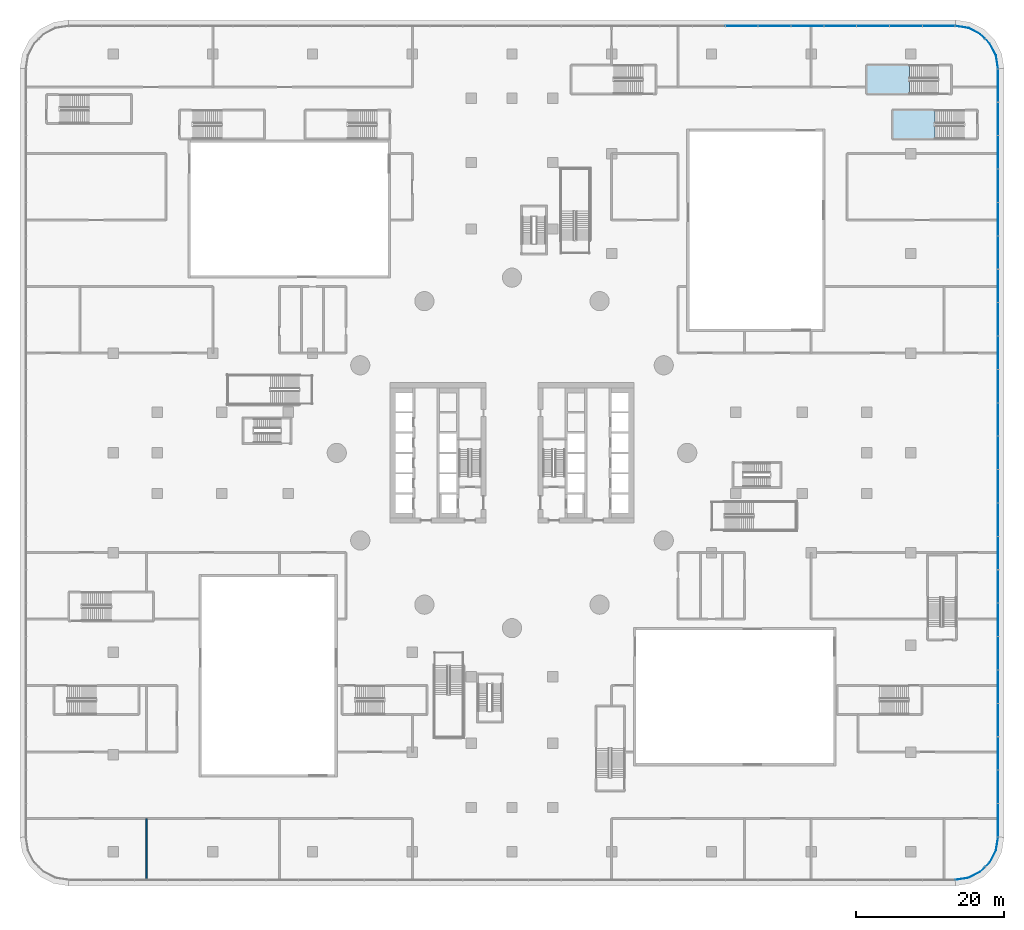
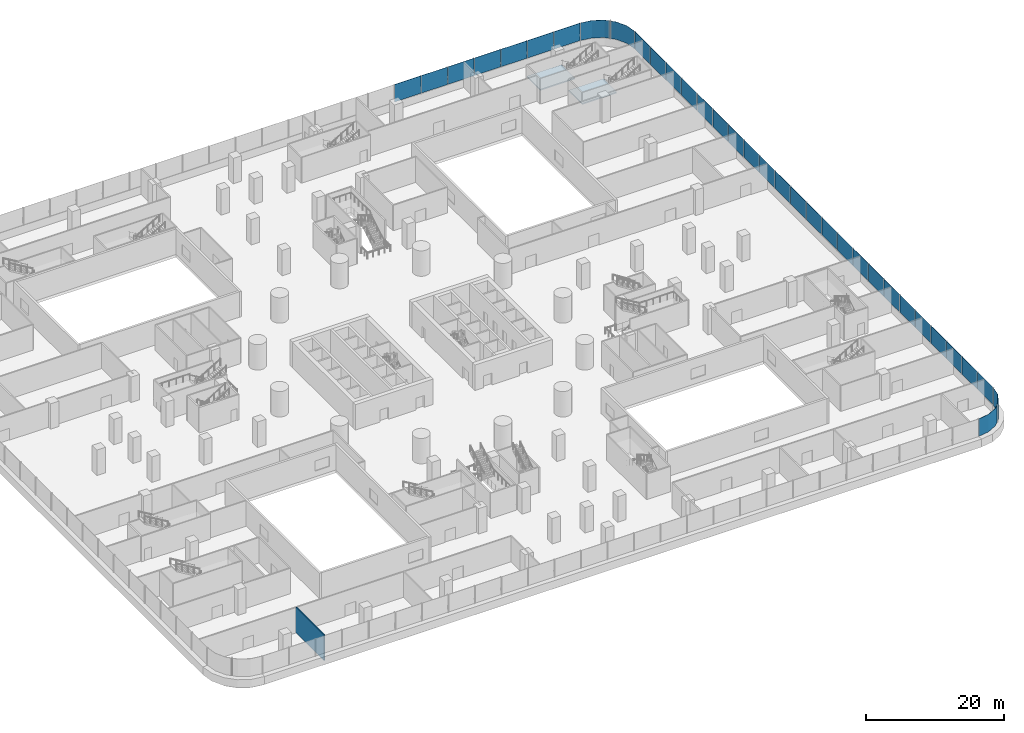
# One storey, part 23 of 44: 34 plates, 2 slabs, 1 wall, 6 elements without a shape of their own.
"""IFC4 building model written with IfcOpenShell, lengths in metres."""

from ifc_helpers import new_model, si_unit, direction, frame, frame_2d, origin, place, context, subcontext, project, spatial, polyline, rectangle, outline, extrude, material, layer, layer_set, type_object, element, aggregate, save


model = new_model("IFC4")

# Units and contexts
model_context = context("Model", 3, precision=1e-05, world=origin(), true_north=direction((0.0, 1.0)))
body_context = subcontext(model_context, "Body", "Model", "MODEL_VIEW")
ifc_project = project(units=[si_unit("LENGTHUNIT", "METRE"), si_unit("AREAUNIT", "SQUARE_METRE"), si_unit("VOLUMEUNIT", "CUBIC_METRE"), si_unit("PLANEANGLEUNIT", "RADIAN"), si_unit("MASSUNIT", "GRAM", prefix="KILO")], contexts=[model_context])

# Site, building, storey
site_placement = place(None, origin())
site = spatial("IfcSite", under=ifc_project, at=site_placement, CompositionType="ELEMENT")
building_placement = place(site_placement, origin())
building = spatial("IfcBuilding", under=site, at=building_placement, Name="Tamarind Cross Interchange Tower", CompositionType="ELEMENT")
storey_placement = place(building_placement, frame((0.0, 0.0, 15.0)))
storey = spatial("IfcBuildingStorey", under=building, at=storey_placement, Name="L02", CompositionType="ELEMENT", Elevation=15.0)

# Stair, slab
ifc_material_1 = material(Name="Public stair")
stair_type = type_object("IfcStairType", Name="Public stair", PredefinedType="HALF_TURN_STAIR", material=ifc_material_1)
stair_1_placement = place(storey_placement, origin())
stair_1 = element("IfcStair", 1, at=stair_1_placement, inside=storey, type_object=stair_type, Name="L02 exit stair XS-P01", PredefinedType="HALF_TURN_STAIR")
ifc_material_2 = material(Name="Concrete C40", Category="concrete")
ifc_layer_1 = layer(ifc_material_2, 0.199951171875)
ifc_layer_set_1 = layer_set([ifc_layer_1], Name="Concrete C40")
slab_type = type_object("IfcSlabType", Name="Public stair landing", PredefinedType="LANDING", material=ifc_layer_set_1)
slab_1_placement = place(storey_placement, frame((0.0, 0.0, 2.300048828125)))
slab_1 = element("IfcSlab", 2, at=slab_1_placement, type_object=slab_type, Name="XS-P01 landing 1", PredefinedType="LANDING", context=body_context, shape_type="SweptSolid", body=[
    extrude(outline(polyline([(53.780029296875, 52.5), (48.0, 52.5), (48.0, 48.60009765625), (53.780029296875, 48.60009765625), (53.780029296875, 52.5)])), origin(), (0.0, 0.0, 1.0), 0.199951171875),
])
aggregate(stair_1, [slab_1])

stair_2_placement = place(storey_placement, origin())
stair_2 = element("IfcStair", 3, at=stair_2_placement, inside=storey, type_object=stair_type, Name="L02 exit stair XS-P02", PredefinedType="HALF_TURN_STAIR")
slab_2_placement = place(storey_placement, frame((0.0, 0.0, 2.300048828125)))
slab_2 = element("IfcSlab", 4, at=slab_2_placement, type_object=slab_type, Name="XS-P02 landing 1", PredefinedType="LANDING", context=body_context, shape_type="SweptSolid", body=[
    extrude(outline(polyline([(57.280029296875, 46.39990234375), (51.5, 46.39990234375), (51.5, 42.5), (57.280029296875, 42.5), (57.280029296875, 46.39990234375)])), origin(), (0.0, 0.0, 1.0), 0.199951171875),
])
aggregate(stair_2, [slab_2])

# Curtain wall, plates
ifc_material_3 = material(Name="Aluminium 6063-T6", Category="aluminium")
ifc_layer_2 = layer(ifc_material_3, 0.199951171875)
ifc_layer_set_2 = layer_set([ifc_layer_2], Name="Aluminium 6063-T6")
curtain_wall_type = type_object("IfcCurtainWallType", Name="Podium shopfront and station curtain wall", PredefinedType="NOTDEFINED", material=ifc_layer_set_2)
curtain_wall_1_placement = place(storey_placement, origin())
curtain_wall_1 = element("IfcCurtainWall", 5, at=curtain_wall_1_placement, inside=storey, type_object=curtain_wall_type, Name="CWS-L02-00", PredefinedType="NOTDEFINED")
ifc_material_4 = material(Name="Toughened low-e glass 10+12+10", Category="glass")
ifc_layer_3 = layer(ifc_material_4, 0.031982421875)
ifc_layer_set_3 = layer_set([ifc_layer_3], Name="Toughened low-e glass 10+12+10")
plate_type = type_object("IfcPlateType", Name="Vision panel CW3", PredefinedType="CURTAIN_PANEL", material=ifc_layer_set_3)
plate_1_placement = place(storey_placement, frame((0.0, 0.0, 1.39990234375)))
plate_1 = element("IfcPlate", 6, at=plate_1_placement, type_object=plate_type, Name="CWP-L02-00-00", PredefinedType="CURTAIN_PANEL", context=body_context, shape_type="SweptSolid", body=[
    extrude(outline(polyline([(65.783935546875, -51.9443359375), (65.783935546875, -47.50390625), (65.81591796875, -47.50390625), (65.81591796875, -51.9443359375), (65.783935546875, -51.9443359375)])), origin(), (0.0, 0.0, 1.0), 3.10009765625),
])
plate_2_placement = place(storey_placement, frame((0.0, 0.0, 1.39990234375)))
plate_2 = element("IfcPlate", 7, at=plate_2_placement, type_object=plate_type, Name="CWP-L02-00-01", PredefinedType="CURTAIN_PANEL", context=body_context, shape_type="SweptSolid", body=[
    extrude(outline(polyline([(65.783935546875, -47.423828125), (65.783935546875, -42.9833984375), (65.81591796875, -42.9833984375), (65.81591796875, -47.423828125), (65.783935546875, -47.423828125)])), origin(), (0.0, 0.0, 1.0), 3.10009765625),
])
plate_3_placement = place(storey_placement, frame((0.0, 0.0, 1.39990234375)))
plate_3 = element("IfcPlate", 8, at=plate_3_placement, type_object=plate_type, Name="CWP-L02-00-02", PredefinedType="CURTAIN_PANEL", context=body_context, shape_type="SweptSolid", body=[
    extrude(outline(polyline([(65.783935546875, -42.903564453125), (65.783935546875, -38.463134765625), (65.81591796875, -38.463134765625), (65.81591796875, -42.903564453125), (65.783935546875, -42.903564453125)])), origin(), (0.0, 0.0, 1.0), 3.10009765625),
])
plate_4_placement = place(storey_placement, frame((0.0, 0.0, 1.39990234375)))
plate_4 = element("IfcPlate", 9, at=plate_4_placement, type_object=plate_type, Name="CWP-L02-00-03", PredefinedType="CURTAIN_PANEL", context=body_context, shape_type="SweptSolid", body=[
    extrude(outline(polyline([(65.783935546875, -38.383056640625), (65.783935546875, -33.94287109375), (65.81591796875, -33.94287109375), (65.81591796875, -38.383056640625), (65.783935546875, -38.383056640625)])), origin(), (0.0, 0.0, 1.0), 3.10009765625),
])
plate_5_placement = place(storey_placement, frame((0.0, 0.0, 1.39990234375)))
plate_5 = element("IfcPlate", 10, at=plate_5_placement, type_object=plate_type, Name="CWP-L02-00-04", PredefinedType="CURTAIN_PANEL", context=body_context, shape_type="SweptSolid", body=[
    extrude(outline(polyline([(65.783935546875, -33.86279296875), (65.783935546875, -29.42236328125), (65.81591796875, -29.42236328125), (65.81591796875, -33.86279296875), (65.783935546875, -33.86279296875)])), origin(), (0.0, 0.0, 1.0), 3.10009765625),
])
plate_6_placement = place(storey_placement, frame((0.0, 0.0, 1.39990234375)))
plate_6 = element("IfcPlate", 11, at=plate_6_placement, type_object=plate_type, Name="CWP-L02-00-05", PredefinedType="CURTAIN_PANEL", context=body_context, shape_type="SweptSolid", body=[
    extrude(outline(polyline([(65.783935546875, -29.342529296875), (65.783935546875, -24.902099609375), (65.81591796875, -24.902099609375), (65.81591796875, -29.342529296875), (65.783935546875, -29.342529296875)])), origin(), (0.0, 0.0, 1.0), 3.10009765625),
])
plate_7_placement = place(storey_placement, frame((0.0, 0.0, 1.39990234375)))
plate_7 = element("IfcPlate", 12, at=plate_7_placement, type_object=plate_type, Name="CWP-L02-00-06", PredefinedType="CURTAIN_PANEL", context=body_context, shape_type="SweptSolid", body=[
    extrude(outline(polyline([(65.783935546875, -24.822021484375), (65.783935546875, -20.381591796875), (65.81591796875, -20.381591796875), (65.81591796875, -24.822021484375), (65.783935546875, -24.822021484375)])), origin(), (0.0, 0.0, 1.0), 3.10009765625),
])
plate_8_placement = place(storey_placement, frame((0.0, 0.0, 1.39990234375)))
plate_8 = element("IfcPlate", 13, at=plate_8_placement, type_object=plate_type, Name="CWP-L02-00-07", PredefinedType="CURTAIN_PANEL", context=body_context, shape_type="SweptSolid", body=[
    extrude(outline(polyline([(65.783935546875, -20.3017578125), (65.783935546875, -15.861328125), (65.81591796875, -15.861328125), (65.81591796875, -20.3017578125), (65.783935546875, -20.3017578125)])), origin(), (0.0, 0.0, 1.0), 3.10009765625),
])
plate_9_placement = place(storey_placement, frame((0.0, 0.0, 1.39990234375)))
plate_9 = element("IfcPlate", 14, at=plate_9_placement, type_object=plate_type, Name="CWP-L02-00-08", PredefinedType="CURTAIN_PANEL", context=body_context, shape_type="SweptSolid", body=[
    extrude(outline(polyline([(65.783935546875, -15.78125), (65.783935546875, -11.3408203125), (65.81591796875, -11.3408203125), (65.81591796875, -15.78125), (65.783935546875, -15.78125)])), origin(), (0.0, 0.0, 1.0), 3.10009765625),
])
plate_10_placement = place(storey_placement, frame((0.0, 0.0, 1.39990234375)))
plate_10 = element("IfcPlate", 15, at=plate_10_placement, type_object=plate_type, Name="CWP-L02-00-09", PredefinedType="CURTAIN_PANEL", context=body_context, shape_type="SweptSolid", body=[
    extrude(outline(polyline([(65.783935546875, -11.260986328125), (65.783935546875, -6.820556640625), (65.81591796875, -6.820556640625), (65.81591796875, -11.260986328125), (65.783935546875, -11.260986328125)])), origin(), (0.0, 0.0, 1.0), 3.10009765625),
])
plate_11_placement = place(storey_placement, frame((0.0, 0.0, 1.39990234375)))
plate_11 = element("IfcPlate", 16, at=plate_11_placement, type_object=plate_type, Name="CWP-L02-00-10", PredefinedType="CURTAIN_PANEL", context=body_context, shape_type="SweptSolid", body=[
    extrude(outline(polyline([(65.783935546875, -6.740478515625), (65.783935546875, -2.30029296875), (65.81591796875, -2.30029296875), (65.81591796875, -6.740478515625), (65.783935546875, -6.740478515625)])), origin(), (0.0, 0.0, 1.0), 3.10009765625),
])
plate_12_placement = place(storey_placement, frame((0.0, 0.0, 1.39990234375)))
plate_12 = element("IfcPlate", 17, at=plate_12_placement, type_object=plate_type, Name="CWP-L02-00-11", PredefinedType="CURTAIN_PANEL", context=body_context, shape_type="SweptSolid", body=[
    extrude(outline(polyline([(65.783935546875, -2.22021484375), (65.783935546875, 2.22021484375), (65.81591796875, 2.22021484375), (65.81591796875, -2.22021484375), (65.783935546875, -2.22021484375)])), origin(), (0.0, 0.0, 1.0), 3.10009765625),
])
plate_13_placement = place(storey_placement, frame((0.0, 0.0, 1.39990234375)))
plate_13 = element("IfcPlate", 18, at=plate_13_placement, type_object=plate_type, Name="CWP-L02-00-12", PredefinedType="CURTAIN_PANEL", context=body_context, shape_type="SweptSolid", body=[
    extrude(outline(polyline([(65.783935546875, 2.30029296875), (65.783935546875, 6.740478515625), (65.81591796875, 6.740478515625), (65.81591796875, 2.30029296875), (65.783935546875, 2.30029296875)])), origin(), (0.0, 0.0, 1.0), 3.10009765625),
])
plate_14_placement = place(storey_placement, frame((0.0, 0.0, 1.39990234375)))
plate_14 = element("IfcPlate", 19, at=plate_14_placement, type_object=plate_type, Name="CWP-L02-00-13", PredefinedType="CURTAIN_PANEL", context=body_context, shape_type="SweptSolid", body=[
    extrude(outline(polyline([(65.783935546875, 6.820556640625), (65.783935546875, 11.260986328125), (65.81591796875, 11.260986328125), (65.81591796875, 6.820556640625), (65.783935546875, 6.820556640625)])), origin(), (0.0, 0.0, 1.0), 3.10009765625),
])
plate_15_placement = place(storey_placement, frame((0.0, 0.0, 1.39990234375)))
plate_15 = element("IfcPlate", 20, at=plate_15_placement, type_object=plate_type, Name="CWP-L02-00-14", PredefinedType="CURTAIN_PANEL", context=body_context, shape_type="SweptSolid", body=[
    extrude(outline(polyline([(65.783935546875, 11.3408203125), (65.783935546875, 15.78125), (65.81591796875, 15.78125), (65.81591796875, 11.3408203125), (65.783935546875, 11.3408203125)])), origin(), (0.0, 0.0, 1.0), 3.10009765625),
])
plate_16_placement = place(storey_placement, frame((0.0, 0.0, 1.39990234375)))
plate_16 = element("IfcPlate", 21, at=plate_16_placement, type_object=plate_type, Name="CWP-L02-00-15", PredefinedType="CURTAIN_PANEL", context=body_context, shape_type="SweptSolid", body=[
    extrude(outline(polyline([(65.783935546875, 15.861328125), (65.783935546875, 20.3017578125), (65.81591796875, 20.3017578125), (65.81591796875, 15.861328125), (65.783935546875, 15.861328125)])), origin(), (0.0, 0.0, 1.0), 3.10009765625),
])
plate_17_placement = place(storey_placement, frame((0.0, 0.0, 1.39990234375)))
plate_17 = element("IfcPlate", 22, at=plate_17_placement, type_object=plate_type, Name="CWP-L02-00-16", PredefinedType="CURTAIN_PANEL", context=body_context, shape_type="SweptSolid", body=[
    extrude(outline(polyline([(65.783935546875, 20.381591796875), (65.783935546875, 24.822021484375), (65.81591796875, 24.822021484375), (65.81591796875, 20.381591796875), (65.783935546875, 20.381591796875)])), origin(), (0.0, 0.0, 1.0), 3.10009765625),
])
plate_18_placement = place(storey_placement, frame((0.0, 0.0, 1.39990234375)))
plate_18 = element("IfcPlate", 23, at=plate_18_placement, type_object=plate_type, Name="CWP-L02-00-17", PredefinedType="CURTAIN_PANEL", context=body_context, shape_type="SweptSolid", body=[
    extrude(outline(polyline([(65.783935546875, 24.902099609375), (65.783935546875, 29.342529296875), (65.81591796875, 29.342529296875), (65.81591796875, 24.902099609375), (65.783935546875, 24.902099609375)])), origin(), (0.0, 0.0, 1.0), 3.10009765625),
])
plate_19_placement = place(storey_placement, frame((0.0, 0.0, 1.39990234375)))
plate_19 = element("IfcPlate", 24, at=plate_19_placement, type_object=plate_type, Name="CWP-L02-00-18", PredefinedType="CURTAIN_PANEL", context=body_context, shape_type="SweptSolid", body=[
    extrude(outline(polyline([(65.783935546875, 29.42236328125), (65.783935546875, 33.86279296875), (65.81591796875, 33.86279296875), (65.81591796875, 29.42236328125), (65.783935546875, 29.42236328125)])), origin(), (0.0, 0.0, 1.0), 3.10009765625),
])
plate_20_placement = place(storey_placement, frame((0.0, 0.0, 1.39990234375)))
plate_20 = element("IfcPlate", 25, at=plate_20_placement, type_object=plate_type, Name="CWP-L02-00-19", PredefinedType="CURTAIN_PANEL", context=body_context, shape_type="SweptSolid", body=[
    extrude(outline(polyline([(65.783935546875, 33.94287109375), (65.783935546875, 38.383056640625), (65.81591796875, 38.383056640625), (65.81591796875, 33.94287109375), (65.783935546875, 33.94287109375)])), origin(), (0.0, 0.0, 1.0), 3.10009765625),
])
plate_21_placement = place(storey_placement, frame((0.0, 0.0, 1.39990234375)))
plate_21 = element("IfcPlate", 26, at=plate_21_placement, type_object=plate_type, Name="CWP-L02-00-20", PredefinedType="CURTAIN_PANEL", context=body_context, shape_type="SweptSolid", body=[
    extrude(outline(polyline([(65.783935546875, 38.463134765625), (65.783935546875, 42.903564453125), (65.81591796875, 42.903564453125), (65.81591796875, 38.463134765625), (65.783935546875, 38.463134765625)])), origin(), (0.0, 0.0, 1.0), 3.10009765625),
])
plate_22_placement = place(storey_placement, frame((0.0, 0.0, 1.39990234375)))
plate_22 = element("IfcPlate", 27, at=plate_22_placement, type_object=plate_type, Name="CWP-L02-00-21", PredefinedType="CURTAIN_PANEL", context=body_context, shape_type="SweptSolid", body=[
    extrude(outline(polyline([(65.783935546875, 42.9833984375), (65.783935546875, 47.423828125), (65.81591796875, 47.423828125), (65.81591796875, 42.9833984375), (65.783935546875, 42.9833984375)])), origin(), (0.0, 0.0, 1.0), 3.10009765625),
])
plate_23_placement = place(storey_placement, frame((0.0, 0.0, 1.39990234375)))
plate_23 = element("IfcPlate", 28, at=plate_23_placement, type_object=plate_type, Name="CWP-L02-00-22", PredefinedType="CURTAIN_PANEL", context=body_context, shape_type="SweptSolid", body=[
    extrude(outline(polyline([(65.783935546875, 47.50390625), (65.783935546875, 51.9443359375), (65.81591796875, 51.9443359375), (65.81591796875, 47.50390625), (65.783935546875, 47.50390625)])), origin(), (0.0, 0.0, 1.0), 3.10009765625),
])
aggregate(curtain_wall_1, [plate_1, plate_2, plate_3, plate_4, plate_5, plate_6, plate_7, plate_8, plate_9, plate_10, plate_11, plate_12, plate_13, plate_14, plate_15, plate_16, plate_17, plate_18, plate_19, plate_20, plate_21, plate_22, plate_23])

curtain_wall_2_placement = place(storey_placement, origin())
curtain_wall_2 = element("IfcCurtainWall", 29, at=curtain_wall_2_placement, inside=storey, type_object=curtain_wall_type, Name="CWS-L02-01", PredefinedType="NOTDEFINED")
plate_24_placement = place(storey_placement, frame((0.0, 0.0, 1.39990234375)))
plate_24 = element("IfcPlate", 30, at=plate_24_placement, type_object=plate_type, Name="CWP-L02-01-00", PredefinedType="CURTAIN_PANEL", context=body_context, shape_type="SweptSolid", body=[
    extrude(outline(polyline([(65.77783203125, 52.021240234375), (65.498291015625, 53.78662109375), (64.67724609375, 55.398193359375), (64.06591796875, 56.00927734375), (64.088623046875, 56.031982421875), (64.703369140625, 55.417236328125), (65.529052734375, 53.796630859375), (65.8095703125, 52.0263671875), (65.77783203125, 52.021240234375)])), origin(), (0.0, 0.0, 1.0), 3.10009765625),
])
plate_25_placement = place(storey_placement, frame((0.0, 0.0, 1.39990234375)))
plate_25 = element("IfcPlate", 31, at=plate_25_placement, type_object=plate_type, Name="CWP-L02-01-01", PredefinedType="CURTAIN_PANEL", context=body_context, shape_type="SweptSolid", body=[
    extrude(outline(polyline([(64.00927734375, 56.06591796875), (63.398193359375, 56.67724609375), (61.78662109375, 57.498291015625), (60.021240234375, 57.77783203125), (60.0263671875, 57.8095703125), (61.796630859375, 57.529052734375), (63.417236328125, 56.703369140625), (64.031982421875, 56.088623046875), (64.00927734375, 56.06591796875)])), origin(), (0.0, 0.0, 1.0), 3.10009765625),
])
aggregate(curtain_wall_2, [plate_24, plate_25])

curtain_wall_3_placement = place(storey_placement, origin())
curtain_wall_3 = element("IfcCurtainWall", 32, at=curtain_wall_3_placement, inside=storey, type_object=curtain_wall_type, Name="CWS-L02-02", PredefinedType="NOTDEFINED")
plate_26_placement = place(storey_placement, frame((0.0, 0.0, 1.39990234375)))
plate_26 = element("IfcPlate", 33, at=plate_26_placement, type_object=plate_type, Name="CWP-L02-02-00", PredefinedType="CURTAIN_PANEL", context=body_context, shape_type="SweptSolid", body=[
    extrude(outline(polyline([(59.9443359375, 57.783935546875), (55.5810546875, 57.783935546875), (55.5810546875, 57.81591796875), (59.9443359375, 57.81591796875), (59.9443359375, 57.783935546875)])), origin(), (0.0, 0.0, 1.0), 3.10009765625),
])
plate_27_placement = place(storey_placement, frame((0.0, 0.0, 1.39990234375)))
plate_27 = element("IfcPlate", 34, at=plate_27_placement, type_object=plate_type, Name="CWP-L02-02-01", PredefinedType="CURTAIN_PANEL", context=body_context, shape_type="SweptSolid", body=[
    extrude(outline(polyline([(55.5009765625, 57.783935546875), (51.1376953125, 57.783935546875), (51.1376953125, 57.81591796875), (55.5009765625, 57.81591796875), (55.5009765625, 57.783935546875)])), origin(), (0.0, 0.0, 1.0), 3.10009765625),
])
plate_28_placement = place(storey_placement, frame((0.0, 0.0, 1.39990234375)))
plate_28 = element("IfcPlate", 35, at=plate_28_placement, type_object=plate_type, Name="CWP-L02-02-02", PredefinedType="CURTAIN_PANEL", context=body_context, shape_type="SweptSolid", body=[
    extrude(outline(polyline([(51.0576171875, 57.783935546875), (46.6943359375, 57.783935546875), (46.6943359375, 57.81591796875), (51.0576171875, 57.81591796875), (51.0576171875, 57.783935546875)])), origin(), (0.0, 0.0, 1.0), 3.10009765625),
])
plate_29_placement = place(storey_placement, frame((0.0, 0.0, 1.39990234375)))
plate_29 = element("IfcPlate", 36, at=plate_29_placement, type_object=plate_type, Name="CWP-L02-02-03", PredefinedType="CURTAIN_PANEL", context=body_context, shape_type="SweptSolid", body=[
    extrude(outline(polyline([(46.614501953125, 57.783935546875), (42.251220703125, 57.783935546875), (42.251220703125, 57.81591796875), (46.614501953125, 57.81591796875), (46.614501953125, 57.783935546875)])), origin(), (0.0, 0.0, 1.0), 3.10009765625),
])
plate_30_placement = place(storey_placement, frame((0.0, 0.0, 1.39990234375)))
plate_30 = element("IfcPlate", 37, at=plate_30_placement, type_object=plate_type, Name="CWP-L02-02-04", PredefinedType="CURTAIN_PANEL", context=body_context, shape_type="SweptSolid", body=[
    extrude(outline(polyline([(42.171142578125, 57.783935546875), (37.807861328125, 57.783935546875), (37.807861328125, 57.81591796875), (42.171142578125, 57.81591796875), (42.171142578125, 57.783935546875)])), origin(), (0.0, 0.0, 1.0), 3.10009765625),
])
plate_31_placement = place(storey_placement, frame((0.0, 0.0, 1.39990234375)))
plate_31 = element("IfcPlate", 38, at=plate_31_placement, type_object=plate_type, Name="CWP-L02-02-05", PredefinedType="CURTAIN_PANEL", context=body_context, shape_type="SweptSolid", body=[
    extrude(outline(polyline([(37.727783203125, 57.783935546875), (33.364501953125, 57.783935546875), (33.364501953125, 57.81591796875), (37.727783203125, 57.81591796875), (37.727783203125, 57.783935546875)])), origin(), (0.0, 0.0, 1.0), 3.10009765625),
])
plate_32_placement = place(storey_placement, frame((0.0, 0.0, 1.39990234375)))
plate_32 = element("IfcPlate", 39, at=plate_32_placement, type_object=plate_type, Name="CWP-L02-02-06", PredefinedType="CURTAIN_PANEL", context=body_context, shape_type="SweptSolid", body=[
    extrude(outline(polyline([(33.28466796875, 57.783935546875), (28.92138671875, 57.783935546875), (28.92138671875, 57.81591796875), (33.28466796875, 57.81591796875), (33.28466796875, 57.783935546875)])), origin(), (0.0, 0.0, 1.0), 3.10009765625),
])
aggregate(curtain_wall_3, [plate_26, plate_27, plate_28, plate_29, plate_30, plate_31, plate_32])

curtain_wall_4_placement = place(storey_placement, origin())
curtain_wall_4 = element("IfcCurtainWall", 40, at=curtain_wall_4_placement, inside=storey, type_object=curtain_wall_type, Name="CWS-L02-07", PredefinedType="NOTDEFINED")
plate_33_placement = place(storey_placement, frame((0.0, 0.0, 1.39990234375)))
plate_33 = element("IfcPlate", 41, at=plate_33_placement, type_object=plate_type, Name="CWP-L02-07-00", PredefinedType="CURTAIN_PANEL", context=body_context, shape_type="SweptSolid", body=[
    extrude(outline(polyline([(60.021240234375, -57.77783203125), (61.78662109375, -57.498291015625), (63.398193359375, -56.67724609375), (64.00927734375, -56.06591796875), (64.031982421875, -56.088623046875), (63.417236328125, -56.703369140625), (61.796630859375, -57.529052734375), (60.0263671875, -57.8095703125), (60.021240234375, -57.77783203125)])), origin(), (0.0, 0.0, 1.0), 3.10009765625),
])
plate_34_placement = place(storey_placement, frame((0.0, 0.0, 1.39990234375)))
plate_34 = element("IfcPlate", 42, at=plate_34_placement, type_object=plate_type, Name="CWP-L02-07-01", PredefinedType="CURTAIN_PANEL", context=body_context, shape_type="SweptSolid", body=[
    extrude(outline(polyline([(64.06591796875, -56.00927734375), (64.67724609375, -55.398193359375), (65.498291015625, -53.78662109375), (65.77783203125, -52.021240234375), (65.8095703125, -52.0263671875), (65.529052734375, -53.796630859375), (64.703369140625, -55.417236328125), (64.088623046875, -56.031982421875), (64.06591796875, -56.00927734375)])), origin(), (0.0, 0.0, 1.0), 3.10009765625),
])
aggregate(curtain_wall_4, [plate_33, plate_34])

# Wall
ifc_material_5 = material(Name="Masonry partition, fire-rated", Category="masonry")
ifc_layer_4 = layer(ifc_material_5, 0.199951171875)
ifc_layer_set_4 = layer_set([ifc_layer_4], Name="Masonry partition, fire-rated")
wall_type = type_object("IfcWallType", Name="Fire partition 200 EI 120", PredefinedType="PARTITIONING", material=ifc_layer_set_4)
wall_placement = place(storey_placement, frame((-49.5, -57.698974609375, 0.0), z_axis=(0.0, 0.0, 1.0), x_axis=(0.0, 1.0, 0.0)))
element("IfcWall", 43, at=wall_placement, inside=storey, type_object=wall_type, Name="L02 partition 63", PredefinedType="PARTITIONING", context=body_context, shape_type="SweptSolid", body=[
    extrude(rectangle(XDim=8.198974609375, YDim=0.199951171875, at=frame_2d((4.099609375, 0.0))), origin(), (0.0, 0.0, 1.0), 4.5),
])

save(model, "model.ifc")
